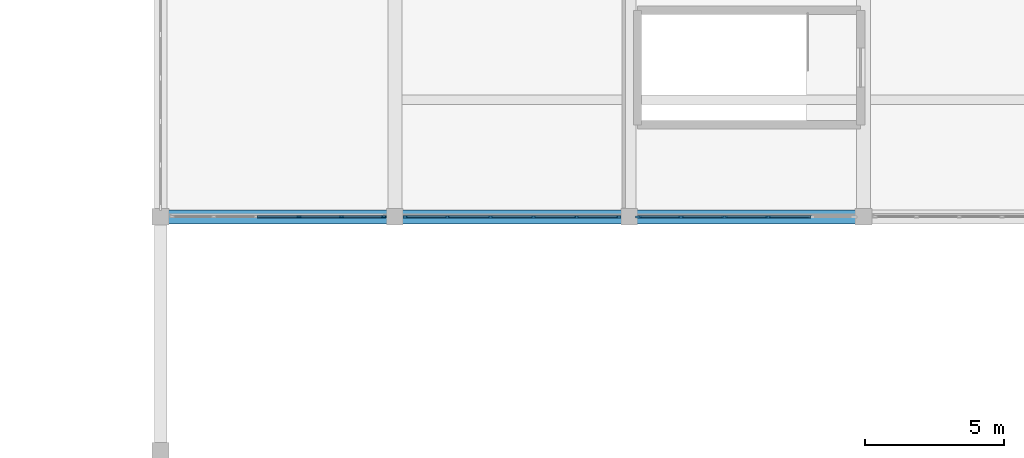
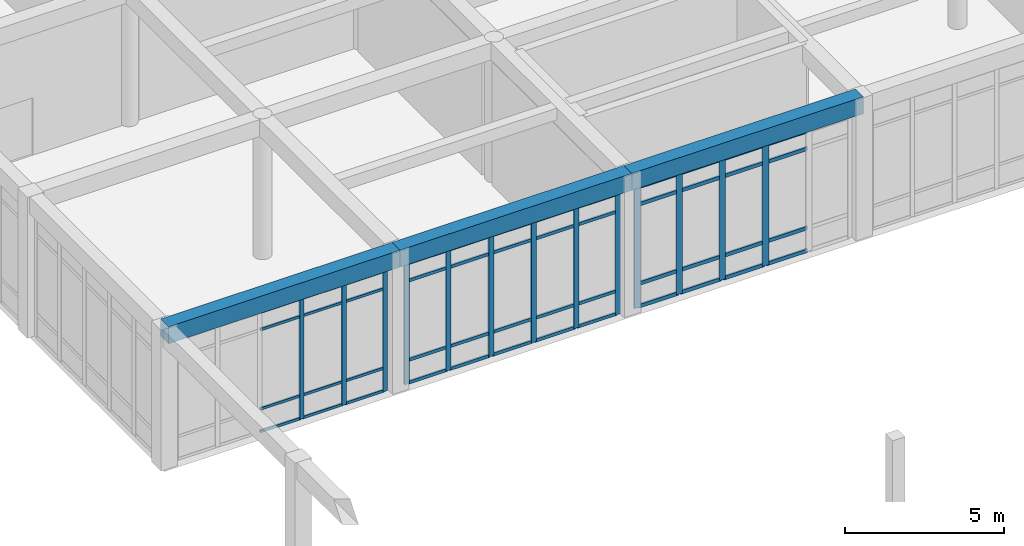
# One storey, part 11 of 89: 61 members, 3 beams, 3 elements without a shape of their own.
"""IFC4 building model written with IfcOpenShell, lengths in metres."""

from ifc_helpers import new_model, si_unit, direction, frame, origin, origin_2d, place, context, subcontext, project, spatial, rectangle, extrude, material, material_profile, profile_set, type_object, element, aggregate, save


model = new_model("IFC4")

# Units and contexts
model_context = context("Model", 3, precision=1e-05, world=origin(), true_north=direction((0.0, 1.0)))
body_context = subcontext(model_context, "Body", "Model", "MODEL_VIEW")
ifc_project = project(units=[si_unit("LENGTHUNIT", "METRE"), si_unit("AREAUNIT", "SQUARE_METRE"), si_unit("VOLUMEUNIT", "CUBIC_METRE"), si_unit("PLANEANGLEUNIT", "RADIAN"), si_unit("MASSUNIT", "GRAM", prefix="KILO")], contexts=[model_context])

# Site, building, storey
site_placement = place(None, origin())
site = spatial("IfcSite", under=ifc_project, at=site_placement, CompositionType="ELEMENT")
building_placement = place(site_placement, origin())
building = spatial("IfcBuilding", under=site, at=building_placement, Name="Varncliffe General Hospital", CompositionType="ELEMENT")
storey_placement = place(building_placement, frame((0.0, 0.0, 10.800048828125)))
storey = spatial("IfcBuildingStorey", under=building, at=storey_placement, Name="L02", CompositionType="ELEMENT", Elevation=10.800048828125)

# Beams
ifc_material_1 = material(Name="Concrete C35/45 (CSA A23.1 35 MPa)", Category="concrete")
ifc_material_profile_1 = material_profile(ifc_material_1, rectangle(XDim=0.5, YDim=0.64990234375, at=origin_2d()), Name="RC 500x650")
ifc_profile_set_1 = profile_set([ifc_material_profile_1], Name="Concrete C35/45 (CSA A23.1 35 MPa)")
beam_type = type_object("IfcBeamType", Name="Beam B29 (Int RC 500x650)", PredefinedType="BEAM", material=ifc_profile_set_1)
beam_1_placement = place(storey_placement, frame((58.800048828125, 57.60009765625, 5.074951171875), z_axis=(1.0, 0.0, 0.0), x_axis=(0.0, 1.0, 0.0)))
element("IfcBeam", 1, at=beam_1_placement, inside=storey, type_object=beam_type, Name="L02 Primary Beam B29-57", PredefinedType="BEAM", context=body_context, shape_type="SweptSolid", body=[
    extrude(rectangle(XDim=0.5, YDim=0.64990234375, at=origin_2d()), origin(), (0.0, 0.0, 1.0), 8.39990234375),
])
beam_2_placement = place(storey_placement, frame((67.199951171875, 57.60009765625, 5.074951171875), z_axis=(1.0, 0.0, 0.0), x_axis=(0.0, 1.0, 0.0)))
element("IfcBeam", 2, at=beam_2_placement, inside=storey, type_object=beam_type, Name="L02 Primary Beam B29-58", PredefinedType="BEAM", context=body_context, shape_type="SweptSolid", body=[
    extrude(rectangle(XDim=0.5, YDim=0.64990234375, at=origin_2d()), origin(), (0.0, 0.0, 1.0), 8.400146484375),
])
beam_3_placement = place(storey_placement, frame((75.60009765625, 57.60009765625, 5.074951171875), z_axis=(1.0, 0.0, 0.0), x_axis=(0.0, 1.0, 0.0)))
element("IfcBeam", 3, at=beam_3_placement, inside=storey, type_object=beam_type, Name="L02 Primary Beam B29-59", PredefinedType="BEAM", context=body_context, shape_type="SweptSolid", body=[
    extrude(rectangle(XDim=0.5, YDim=0.64990234375, at=origin_2d()), origin(), (0.0, 0.0, 1.0), 8.39990234375),
])

# Curtain wall, members
ifc_material_2 = material(Name="Triple low-E argon insulated vision glazing", Category="glass")
curtain_wall_type_1 = type_object("IfcCurtainWallType", Name="Unitised Glazed Curtain Wall CW70 (7724x4640)", PredefinedType="USERDEFINED", material=ifc_material_2)
curtain_wall_1_placement = place(storey_placement, origin())
curtain_wall_1 = element("IfcCurtainWall", 4, at=curtain_wall_1_placement, inside=storey, type_object=curtain_wall_type_1, Name="L02 Glazed Curtain Wall CW70-139", ObjectType="GLAZED CURTAIN WALL", PredefinedType="USERDEFINED")
ifc_material_3 = material(Name="Dark bronze thermally broken aluminium framing", Category="aluminium")
ifc_material_profile_2 = material_profile(ifc_material_3, rectangle(XDim=0.074951171875, YDim=0.179931640625, at=origin_2d()), Name="ALU 75x180")
ifc_profile_set_2 = profile_set([ifc_material_profile_2], Name="Dark bronze thermally broken aluminium framing")
member_type_1 = type_object("IfcMemberType", Name="Curtain Wall Mullion CM44 (ALU 75x180)", PredefinedType="MULLION", material=ifc_profile_set_2)
member_1_placement = place(storey_placement, frame((75.224609375, 57.60009765625, 0.0), z_axis=(0.0, 0.0, 1.0), x_axis=(0.0, -1.0, 0.0)))
member_1 = element("IfcMember", 5, at=member_1_placement, type_object=member_type_1, Name="CW70 mullion 1", PredefinedType="MULLION", context=body_context, shape_type="SweptSolid", body=[
    extrude(rectangle(XDim=0.074951171875, YDim=0.179931640625, at=origin_2d()), origin(), (0.0, 0.0, 1.0), 4.639892578125),
])
member_2_placement = place(storey_placement, frame((73.71728515625, 57.60009765625, 0.0), z_axis=(0.0, 0.0, 1.0), x_axis=(0.0, -1.0, 0.0)))
member_2 = element("IfcMember", 6, at=member_2_placement, type_object=member_type_1, Name="CW70 mullion 2", PredefinedType="MULLION", context=body_context, shape_type="SweptSolid", body=[
    extrude(rectangle(XDim=0.074951171875, YDim=0.179931640625, at=origin_2d()), origin(), (0.0, 0.0, 1.0), 4.639892578125),
])
member_3_placement = place(storey_placement, frame((72.17236328125, 57.60009765625, 0.0), z_axis=(0.0, 0.0, 1.0), x_axis=(0.0, -1.0, 0.0)))
member_3 = element("IfcMember", 7, at=member_3_placement, type_object=member_type_1, Name="CW70 mullion 3", PredefinedType="MULLION", context=body_context, shape_type="SweptSolid", body=[
    extrude(rectangle(XDim=0.074951171875, YDim=0.179931640625, at=origin_2d()), origin(), (0.0, 0.0, 1.0), 4.639892578125),
])
member_4_placement = place(storey_placement, frame((70.627685546875, 57.60009765625, 0.0), z_axis=(0.0, 0.0, 1.0), x_axis=(0.0, -1.0, 0.0)))
member_4 = element("IfcMember", 8, at=member_4_placement, type_object=member_type_1, Name="CW70 mullion 4", PredefinedType="MULLION", context=body_context, shape_type="SweptSolid", body=[
    extrude(rectangle(XDim=0.074951171875, YDim=0.179931640625, at=origin_2d()), origin(), (0.0, 0.0, 1.0), 4.639892578125),
])
member_5_placement = place(storey_placement, frame((69.082763671875, 57.60009765625, 0.0), z_axis=(0.0, 0.0, 1.0), x_axis=(0.0, -1.0, 0.0)))
member_5 = element("IfcMember", 9, at=member_5_placement, type_object=member_type_1, Name="CW70 mullion 5", PredefinedType="MULLION", context=body_context, shape_type="SweptSolid", body=[
    extrude(rectangle(XDim=0.074951171875, YDim=0.179931640625, at=origin_2d()), origin(), (0.0, 0.0, 1.0), 4.639892578125),
])
member_6_placement = place(storey_placement, frame((67.575439453125, 57.60009765625, 0.0), z_axis=(0.0, 0.0, 1.0), x_axis=(0.0, -1.0, 0.0)))
member_6 = element("IfcMember", 10, at=member_6_placement, type_object=member_type_1, Name="CW70 mullion 6", PredefinedType="MULLION", context=body_context, shape_type="SweptSolid", body=[
    extrude(rectangle(XDim=0.074951171875, YDim=0.179931640625, at=origin_2d()), origin(), (0.0, 0.0, 1.0), 4.639892578125),
])

curtain_wall_type_2 = type_object("IfcCurtainWallType", Name="Unitised Glazed Curtain Wall CW27 (7644x4640)", PredefinedType="USERDEFINED", material=ifc_material_2)
curtain_wall_2_placement = place(storey_placement, origin())
curtain_wall_2 = element("IfcCurtainWall", 11, at=curtain_wall_2_placement, inside=storey, type_object=curtain_wall_type_2, Name="L02 Glazed Curtain Wall CW27-140", ObjectType="GLAZED CURTAIN WALL", PredefinedType="USERDEFINED")
ifc_material_profile_3 = material_profile(ifc_material_3, rectangle(XDim=0.06494140625, YDim=0.159912109375, at=origin_2d()), Name="ALU 65x160")
ifc_profile_set_3 = profile_set([ifc_material_profile_3], Name="Dark bronze thermally broken aluminium framing")
member_type_2 = type_object("IfcMemberType", Name="Curtain Wall Mullion CM65 (ALU 65x160)", PredefinedType="MULLION", material=ifc_profile_set_3)
member_7_placement = place(storey_placement, frame((66.78955078125, 57.60009765625, 0.0), z_axis=(0.0, 0.0, 1.0), x_axis=(0.0, -1.0, 0.0)))
member_7 = element("IfcMember", 12, at=member_7_placement, type_object=member_type_2, Name="CW27 mullion 1", PredefinedType="MULLION", context=body_context, shape_type="SweptSolid", body=[
    extrude(rectangle(XDim=0.06494140625, YDim=0.159912109375, at=origin_2d()), origin(), (0.0, 0.0, 1.0), 4.639892578125),
])
member_8_placement = place(storey_placement, frame((65.293212890625, 57.60009765625, 0.0), z_axis=(0.0, 0.0, 1.0), x_axis=(0.0, -1.0, 0.0)))
member_8 = element("IfcMember", 13, at=member_8_placement, type_object=member_type_2, Name="CW27 mullion 2", PredefinedType="MULLION", context=body_context, shape_type="SweptSolid", body=[
    extrude(rectangle(XDim=0.06494140625, YDim=0.159912109375, at=origin_2d()), origin(), (0.0, 0.0, 1.0), 4.639892578125),
])
member_9_placement = place(storey_placement, frame((63.764404296875, 57.60009765625, 0.0), z_axis=(0.0, 0.0, 1.0), x_axis=(0.0, -1.0, 0.0)))
member_9 = element("IfcMember", 14, at=member_9_placement, type_object=member_type_2, Name="CW27 mullion 3", PredefinedType="MULLION", context=body_context, shape_type="SweptSolid", body=[
    extrude(rectangle(XDim=0.06494140625, YDim=0.159912109375, at=origin_2d()), origin(), (0.0, 0.0, 1.0), 4.639892578125),
])

curtain_wall_type_3 = type_object("IfcCurtainWallType", Name="Unitised Glazed Curtain Wall CW85 (7804x4640)", PredefinedType="USERDEFINED", material=ifc_material_2)
curtain_wall_3_placement = place(storey_placement, origin())
curtain_wall_3 = element("IfcCurtainWall", 15, at=curtain_wall_3_placement, inside=storey, type_object=curtain_wall_type_3, Name="L02 Glazed Curtain Wall CW85-138", ObjectType="GLAZED CURTAIN WALL", PredefinedType="USERDEFINED")
ifc_material_profile_4 = material_profile(ifc_material_3, rectangle(XDim=0.074951171875, YDim=0.219970703125, at=origin_2d()), Name="ALU 75x220")
ifc_profile_set_4 = profile_set([ifc_material_profile_4], Name="Dark bronze thermally broken aluminium framing")
member_type_3 = type_object("IfcMemberType", Name="Curtain Wall Mullion CM74 (ALU 75x220)", PredefinedType="MULLION", material=ifc_profile_set_4)
member_10_placement = place(storey_placement, frame((80.580322265625, 57.60009765625, 0.0), z_axis=(0.0, 0.0, 1.0), x_axis=(0.0, -1.0, 0.0)))
member_10 = element("IfcMember", 16, at=member_10_placement, type_object=member_type_3, Name="CW85 mullion 3", PredefinedType="MULLION", context=body_context, shape_type="SweptSolid", body=[
    extrude(rectangle(XDim=0.074951171875, YDim=0.219970703125, at=origin_2d()), origin(), (0.0, 0.0, 1.0), 4.639892578125),
])
member_11_placement = place(storey_placement, frame((79.01953125, 57.60009765625, 0.0), z_axis=(0.0, 0.0, 1.0), x_axis=(0.0, -1.0, 0.0)))
member_11 = element("IfcMember", 17, at=member_11_placement, type_object=member_type_3, Name="CW85 mullion 4", PredefinedType="MULLION", context=body_context, shape_type="SweptSolid", body=[
    extrude(rectangle(XDim=0.074951171875, YDim=0.219970703125, at=origin_2d()), origin(), (0.0, 0.0, 1.0), 4.639892578125),
])
member_12_placement = place(storey_placement, frame((77.458740234375, 57.60009765625, 0.0), z_axis=(0.0, 0.0, 1.0), x_axis=(0.0, -1.0, 0.0)))
member_12 = element("IfcMember", 18, at=member_12_placement, type_object=member_type_3, Name="CW85 mullion 5", PredefinedType="MULLION", context=body_context, shape_type="SweptSolid", body=[
    extrude(rectangle(XDim=0.074951171875, YDim=0.219970703125, at=origin_2d()), origin(), (0.0, 0.0, 1.0), 4.639892578125),
])
member_13_placement = place(storey_placement, frame((75.935546875, 57.60009765625, 0.0), z_axis=(0.0, 0.0, 1.0), x_axis=(0.0, -1.0, 0.0)))
member_13 = element("IfcMember", 19, at=member_13_placement, type_object=member_type_3, Name="CW85 mullion 6", PredefinedType="MULLION", context=body_context, shape_type="SweptSolid", body=[
    extrude(rectangle(XDim=0.074951171875, YDim=0.219970703125, at=origin_2d()), origin(), (0.0, 0.0, 1.0), 4.639892578125),
])

# Member
ifc_material_profile_5 = material_profile(ifc_material_3, rectangle(XDim=0.06005859375, YDim=0.1201171875, at=origin_2d()), Name="ALU 60x120")
ifc_profile_set_5 = profile_set([ifc_material_profile_5], Name="Dark bronze thermally broken aluminium framing")
member_type_4 = type_object("IfcMemberType", Name="Curtain Wall Transom CT14 (ALU 60x120)", PredefinedType="USERDEFINED", material=ifc_profile_set_5)
member_14_placement = place(storey_placement, frame((75.18701171875, 57.60009765625, 0.030029296875), z_axis=(-1.0, 0.0, 0.0), x_axis=(0.0, -1.0, 0.0)))
member_14 = element("IfcMember", 20, at=member_14_placement, type_object=member_type_4, Name="CW70 transom 1.1", ObjectType="TRANSOM", PredefinedType="USERDEFINED", context=body_context, shape_type="SweptSolid", body=[
    extrude(rectangle(XDim=0.06005859375, YDim=0.1201171875, at=origin_2d()), origin(), (0.0, 0.0, 1.0), 1.432373046875),
])

member_15_placement = place(storey_placement, frame((75.18701171875, 57.60009765625, 0.89990234375), z_axis=(-1.0, 0.0, 0.0), x_axis=(0.0, -1.0, 0.0)))
member_15 = element("IfcMember", 21, at=member_15_placement, type_object=member_type_4, Name="CW70 transom 1.2", ObjectType="TRANSOM", PredefinedType="USERDEFINED", context=body_context, shape_type="SweptSolid", body=[
    extrude(rectangle(XDim=0.06005859375, YDim=0.1201171875, at=origin_2d()), origin(), (0.0, 0.0, 1.0), 1.432373046875),
])

member_16_placement = place(storey_placement, frame((75.18701171875, 57.60009765625, 3.93994140625), z_axis=(-1.0, 0.0, 0.0), x_axis=(0.0, -1.0, 0.0)))
member_16 = element("IfcMember", 22, at=member_16_placement, type_object=member_type_4, Name="CW70 transom 1.3", ObjectType="TRANSOM", PredefinedType="USERDEFINED", context=body_context, shape_type="SweptSolid", body=[
    extrude(rectangle(XDim=0.06005859375, YDim=0.1201171875, at=origin_2d()), origin(), (0.0, 0.0, 1.0), 1.432373046875),
])

member_17_placement = place(storey_placement, frame((75.18701171875, 57.60009765625, 4.60986328125), z_axis=(-1.0, 0.0, 0.0), x_axis=(0.0, -1.0, 0.0)))
member_17 = element("IfcMember", 23, at=member_17_placement, type_object=member_type_4, Name="CW70 transom 1.4", ObjectType="TRANSOM", PredefinedType="USERDEFINED", context=body_context, shape_type="SweptSolid", body=[
    extrude(rectangle(XDim=0.06005859375, YDim=0.1201171875, at=origin_2d()), origin(), (0.0, 0.0, 1.0), 1.432373046875),
])

member_18_placement = place(storey_placement, frame((73.6796875, 57.60009765625, 0.030029296875), z_axis=(-1.0, 0.0, 0.0), x_axis=(0.0, -1.0, 0.0)))
member_18 = element("IfcMember", 24, at=member_18_placement, type_object=member_type_4, Name="CW70 transom 2.1", ObjectType="TRANSOM", PredefinedType="USERDEFINED", context=body_context, shape_type="SweptSolid", body=[
    extrude(rectangle(XDim=0.06005859375, YDim=0.1201171875, at=origin_2d()), origin(), (0.0, 0.0, 1.0), 1.4697265625),
])

member_19_placement = place(storey_placement, frame((73.6796875, 57.60009765625, 0.89990234375), z_axis=(-1.0, 0.0, 0.0), x_axis=(0.0, -1.0, 0.0)))
member_19 = element("IfcMember", 25, at=member_19_placement, type_object=member_type_4, Name="CW70 transom 2.2", ObjectType="TRANSOM", PredefinedType="USERDEFINED", context=body_context, shape_type="SweptSolid", body=[
    extrude(rectangle(XDim=0.06005859375, YDim=0.1201171875, at=origin_2d()), origin(), (0.0, 0.0, 1.0), 1.4697265625),
])

member_20_placement = place(storey_placement, frame((73.6796875, 57.60009765625, 3.93994140625), z_axis=(-1.0, 0.0, 0.0), x_axis=(0.0, -1.0, 0.0)))
member_20 = element("IfcMember", 26, at=member_20_placement, type_object=member_type_4, Name="CW70 transom 2.3", ObjectType="TRANSOM", PredefinedType="USERDEFINED", context=body_context, shape_type="SweptSolid", body=[
    extrude(rectangle(XDim=0.06005859375, YDim=0.1201171875, at=origin_2d()), origin(), (0.0, 0.0, 1.0), 1.4697265625),
])

member_21_placement = place(storey_placement, frame((73.6796875, 57.60009765625, 4.60986328125), z_axis=(-1.0, 0.0, 0.0), x_axis=(0.0, -1.0, 0.0)))
member_21 = element("IfcMember", 27, at=member_21_placement, type_object=member_type_4, Name="CW70 transom 2.4", ObjectType="TRANSOM", PredefinedType="USERDEFINED", context=body_context, shape_type="SweptSolid", body=[
    extrude(rectangle(XDim=0.06005859375, YDim=0.1201171875, at=origin_2d()), origin(), (0.0, 0.0, 1.0), 1.4697265625),
])

member_22_placement = place(storey_placement, frame((72.135009765625, 57.60009765625, 0.030029296875), z_axis=(-1.0, 0.0, 0.0), x_axis=(0.0, -1.0, 0.0)))
member_22 = element("IfcMember", 28, at=member_22_placement, type_object=member_type_4, Name="CW70 transom 3.1", ObjectType="TRANSOM", PredefinedType="USERDEFINED", context=body_context, shape_type="SweptSolid", body=[
    extrude(rectangle(XDim=0.06005859375, YDim=0.1201171875, at=origin_2d()), origin(), (0.0, 0.0, 1.0), 1.469970703125),
])

member_23_placement = place(storey_placement, frame((72.135009765625, 57.60009765625, 0.89990234375), z_axis=(-1.0, 0.0, 0.0), x_axis=(0.0, -1.0, 0.0)))
member_23 = element("IfcMember", 29, at=member_23_placement, type_object=member_type_4, Name="CW70 transom 3.2", ObjectType="TRANSOM", PredefinedType="USERDEFINED", context=body_context, shape_type="SweptSolid", body=[
    extrude(rectangle(XDim=0.06005859375, YDim=0.1201171875, at=origin_2d()), origin(), (0.0, 0.0, 1.0), 1.469970703125),
])

member_24_placement = place(storey_placement, frame((72.135009765625, 57.60009765625, 3.93994140625), z_axis=(-1.0, 0.0, 0.0), x_axis=(0.0, -1.0, 0.0)))
member_24 = element("IfcMember", 30, at=member_24_placement, type_object=member_type_4, Name="CW70 transom 3.3", ObjectType="TRANSOM", PredefinedType="USERDEFINED", context=body_context, shape_type="SweptSolid", body=[
    extrude(rectangle(XDim=0.06005859375, YDim=0.1201171875, at=origin_2d()), origin(), (0.0, 0.0, 1.0), 1.469970703125),
])

member_25_placement = place(storey_placement, frame((72.135009765625, 57.60009765625, 4.60986328125), z_axis=(-1.0, 0.0, 0.0), x_axis=(0.0, -1.0, 0.0)))
member_25 = element("IfcMember", 31, at=member_25_placement, type_object=member_type_4, Name="CW70 transom 3.4", ObjectType="TRANSOM", PredefinedType="USERDEFINED", context=body_context, shape_type="SweptSolid", body=[
    extrude(rectangle(XDim=0.06005859375, YDim=0.1201171875, at=origin_2d()), origin(), (0.0, 0.0, 1.0), 1.469970703125),
])

member_26_placement = place(storey_placement, frame((70.590087890625, 57.60009765625, 0.030029296875), z_axis=(-1.0, 0.0, 0.0), x_axis=(0.0, -1.0, 0.0)))
member_26 = element("IfcMember", 32, at=member_26_placement, type_object=member_type_4, Name="CW70 transom 4.1", ObjectType="TRANSOM", PredefinedType="USERDEFINED", context=body_context, shape_type="SweptSolid", body=[
    extrude(rectangle(XDim=0.06005859375, YDim=0.1201171875, at=origin_2d()), origin(), (0.0, 0.0, 1.0), 1.4697265625),
])

member_27_placement = place(storey_placement, frame((70.590087890625, 57.60009765625, 0.89990234375), z_axis=(-1.0, 0.0, 0.0), x_axis=(0.0, -1.0, 0.0)))
member_27 = element("IfcMember", 33, at=member_27_placement, type_object=member_type_4, Name="CW70 transom 4.2", ObjectType="TRANSOM", PredefinedType="USERDEFINED", context=body_context, shape_type="SweptSolid", body=[
    extrude(rectangle(XDim=0.06005859375, YDim=0.1201171875, at=origin_2d()), origin(), (0.0, 0.0, 1.0), 1.4697265625),
])

member_28_placement = place(storey_placement, frame((70.590087890625, 57.60009765625, 3.93994140625), z_axis=(-1.0, 0.0, 0.0), x_axis=(0.0, -1.0, 0.0)))
member_28 = element("IfcMember", 34, at=member_28_placement, type_object=member_type_4, Name="CW70 transom 4.3", ObjectType="TRANSOM", PredefinedType="USERDEFINED", context=body_context, shape_type="SweptSolid", body=[
    extrude(rectangle(XDim=0.06005859375, YDim=0.1201171875, at=origin_2d()), origin(), (0.0, 0.0, 1.0), 1.4697265625),
])

member_29_placement = place(storey_placement, frame((70.590087890625, 57.60009765625, 4.60986328125), z_axis=(-1.0, 0.0, 0.0), x_axis=(0.0, -1.0, 0.0)))
member_29 = element("IfcMember", 35, at=member_29_placement, type_object=member_type_4, Name="CW70 transom 4.4", ObjectType="TRANSOM", PredefinedType="USERDEFINED", context=body_context, shape_type="SweptSolid", body=[
    extrude(rectangle(XDim=0.06005859375, YDim=0.1201171875, at=origin_2d()), origin(), (0.0, 0.0, 1.0), 1.4697265625),
])

member_30_placement = place(storey_placement, frame((69.04541015625, 57.60009765625, 0.030029296875), z_axis=(-1.0, 0.0, 0.0), x_axis=(0.0, -1.0, 0.0)))
member_30 = element("IfcMember", 36, at=member_30_placement, type_object=member_type_4, Name="CW70 transom 5.1", ObjectType="TRANSOM", PredefinedType="USERDEFINED", context=body_context, shape_type="SweptSolid", body=[
    extrude(rectangle(XDim=0.06005859375, YDim=0.1201171875, at=origin_2d()), origin(), (0.0, 0.0, 1.0), 1.432373046875),
])

member_31_placement = place(storey_placement, frame((69.04541015625, 57.60009765625, 0.89990234375), z_axis=(-1.0, 0.0, 0.0), x_axis=(0.0, -1.0, 0.0)))
member_31 = element("IfcMember", 37, at=member_31_placement, type_object=member_type_4, Name="CW70 transom 5.2", ObjectType="TRANSOM", PredefinedType="USERDEFINED", context=body_context, shape_type="SweptSolid", body=[
    extrude(rectangle(XDim=0.06005859375, YDim=0.1201171875, at=origin_2d()), origin(), (0.0, 0.0, 1.0), 1.432373046875),
])

member_32_placement = place(storey_placement, frame((69.04541015625, 57.60009765625, 3.93994140625), z_axis=(-1.0, 0.0, 0.0), x_axis=(0.0, -1.0, 0.0)))
member_32 = element("IfcMember", 38, at=member_32_placement, type_object=member_type_4, Name="CW70 transom 5.3", ObjectType="TRANSOM", PredefinedType="USERDEFINED", context=body_context, shape_type="SweptSolid", body=[
    extrude(rectangle(XDim=0.06005859375, YDim=0.1201171875, at=origin_2d()), origin(), (0.0, 0.0, 1.0), 1.432373046875),
])

member_33_placement = place(storey_placement, frame((69.04541015625, 57.60009765625, 4.60986328125), z_axis=(-1.0, 0.0, 0.0), x_axis=(0.0, -1.0, 0.0)))
member_33 = element("IfcMember", 39, at=member_33_placement, type_object=member_type_4, Name="CW70 transom 5.4", ObjectType="TRANSOM", PredefinedType="USERDEFINED", context=body_context, shape_type="SweptSolid", body=[
    extrude(rectangle(XDim=0.06005859375, YDim=0.1201171875, at=origin_2d()), origin(), (0.0, 0.0, 1.0), 1.432373046875),
])

aggregate(curtain_wall_1, [member_1, member_2, member_3, member_4, member_5, member_6, member_14, member_15, member_16, member_17, member_18, member_19, member_20, member_21, member_22, member_23, member_24, member_25, member_26, member_27, member_28, member_29, member_30, member_31, member_32, member_33])

ifc_material_profile_6 = material_profile(ifc_material_3, rectangle(XDim=0.06005859375, YDim=0.10009765625, at=origin_2d()), Name="ALU 60x100")
ifc_profile_set_6 = profile_set([ifc_material_profile_6], Name="Dark bronze thermally broken aluminium framing")
member_type_5 = type_object("IfcMemberType", Name="Curtain Wall Transom CT18 (ALU 60x100)", PredefinedType="USERDEFINED", material=ifc_profile_set_6)
member_34_placement = place(storey_placement, frame((66.757080078125, 57.60009765625, 0.030029296875), z_axis=(-1.0, 0.0, 0.0), x_axis=(0.0, -1.0, 0.0)))
member_34 = element("IfcMember", 40, at=member_34_placement, type_object=member_type_5, Name="CW27 transom 1.1", ObjectType="TRANSOM", PredefinedType="USERDEFINED", context=body_context, shape_type="SweptSolid", body=[
    extrude(rectangle(XDim=0.06005859375, YDim=0.10009765625, at=origin_2d()), origin(), (0.0, 0.0, 1.0), 1.431396484375),
])

member_35_placement = place(storey_placement, frame((66.757080078125, 57.60009765625, 0.89990234375), z_axis=(-1.0, 0.0, 0.0), x_axis=(0.0, -1.0, 0.0)))
member_35 = element("IfcMember", 41, at=member_35_placement, type_object=member_type_5, Name="CW27 transom 1.2", ObjectType="TRANSOM", PredefinedType="USERDEFINED", context=body_context, shape_type="SweptSolid", body=[
    extrude(rectangle(XDim=0.06005859375, YDim=0.10009765625, at=origin_2d()), origin(), (0.0, 0.0, 1.0), 1.431396484375),
])

member_36_placement = place(storey_placement, frame((66.757080078125, 57.60009765625, 3.93994140625), z_axis=(-1.0, 0.0, 0.0), x_axis=(0.0, -1.0, 0.0)))
member_36 = element("IfcMember", 42, at=member_36_placement, type_object=member_type_5, Name="CW27 transom 1.3", ObjectType="TRANSOM", PredefinedType="USERDEFINED", context=body_context, shape_type="SweptSolid", body=[
    extrude(rectangle(XDim=0.06005859375, YDim=0.10009765625, at=origin_2d()), origin(), (0.0, 0.0, 1.0), 1.431396484375),
])

member_37_placement = place(storey_placement, frame((66.757080078125, 57.60009765625, 4.60986328125), z_axis=(-1.0, 0.0, 0.0), x_axis=(0.0, -1.0, 0.0)))
member_37 = element("IfcMember", 43, at=member_37_placement, type_object=member_type_5, Name="CW27 transom 1.4", ObjectType="TRANSOM", PredefinedType="USERDEFINED", context=body_context, shape_type="SweptSolid", body=[
    extrude(rectangle(XDim=0.06005859375, YDim=0.10009765625, at=origin_2d()), origin(), (0.0, 0.0, 1.0), 1.431396484375),
])

member_38_placement = place(storey_placement, frame((65.2607421875, 57.60009765625, 0.030029296875), z_axis=(-1.0, 0.0, 0.0), x_axis=(0.0, -1.0, 0.0)))
member_38 = element("IfcMember", 44, at=member_38_placement, type_object=member_type_5, Name="CW27 transom 2.1", ObjectType="TRANSOM", PredefinedType="USERDEFINED", context=body_context, shape_type="SweptSolid", body=[
    extrude(rectangle(XDim=0.06005859375, YDim=0.10009765625, at=origin_2d()), origin(), (0.0, 0.0, 1.0), 1.4638671875),
])

member_39_placement = place(storey_placement, frame((65.2607421875, 57.60009765625, 0.89990234375), z_axis=(-1.0, 0.0, 0.0), x_axis=(0.0, -1.0, 0.0)))
member_39 = element("IfcMember", 45, at=member_39_placement, type_object=member_type_5, Name="CW27 transom 2.2", ObjectType="TRANSOM", PredefinedType="USERDEFINED", context=body_context, shape_type="SweptSolid", body=[
    extrude(rectangle(XDim=0.06005859375, YDim=0.10009765625, at=origin_2d()), origin(), (0.0, 0.0, 1.0), 1.4638671875),
])

member_40_placement = place(storey_placement, frame((65.2607421875, 57.60009765625, 3.93994140625), z_axis=(-1.0, 0.0, 0.0), x_axis=(0.0, -1.0, 0.0)))
member_40 = element("IfcMember", 46, at=member_40_placement, type_object=member_type_5, Name="CW27 transom 2.3", ObjectType="TRANSOM", PredefinedType="USERDEFINED", context=body_context, shape_type="SweptSolid", body=[
    extrude(rectangle(XDim=0.06005859375, YDim=0.10009765625, at=origin_2d()), origin(), (0.0, 0.0, 1.0), 1.4638671875),
])

member_41_placement = place(storey_placement, frame((65.2607421875, 57.60009765625, 4.60986328125), z_axis=(-1.0, 0.0, 0.0), x_axis=(0.0, -1.0, 0.0)))
member_41 = element("IfcMember", 47, at=member_41_placement, type_object=member_type_5, Name="CW27 transom 2.4", ObjectType="TRANSOM", PredefinedType="USERDEFINED", context=body_context, shape_type="SweptSolid", body=[
    extrude(rectangle(XDim=0.06005859375, YDim=0.10009765625, at=origin_2d()), origin(), (0.0, 0.0, 1.0), 1.4638671875),
])

member_42_placement = place(storey_placement, frame((63.73193359375, 57.60009765625, 0.030029296875), z_axis=(-1.0, 0.0, 0.0), x_axis=(0.0, -1.0, 0.0)))
member_42 = element("IfcMember", 48, at=member_42_placement, type_object=member_type_5, Name="CW27 transom 3.1", ObjectType="TRANSOM", PredefinedType="USERDEFINED", context=body_context, shape_type="SweptSolid", body=[
    extrude(rectangle(XDim=0.06005859375, YDim=0.10009765625, at=origin_2d()), origin(), (0.0, 0.0, 1.0), 1.4638671875),
])

member_43_placement = place(storey_placement, frame((63.73193359375, 57.60009765625, 0.89990234375), z_axis=(-1.0, 0.0, 0.0), x_axis=(0.0, -1.0, 0.0)))
member_43 = element("IfcMember", 49, at=member_43_placement, type_object=member_type_5, Name="CW27 transom 3.2", ObjectType="TRANSOM", PredefinedType="USERDEFINED", context=body_context, shape_type="SweptSolid", body=[
    extrude(rectangle(XDim=0.06005859375, YDim=0.10009765625, at=origin_2d()), origin(), (0.0, 0.0, 1.0), 1.4638671875),
])

member_44_placement = place(storey_placement, frame((63.73193359375, 57.60009765625, 3.93994140625), z_axis=(-1.0, 0.0, 0.0), x_axis=(0.0, -1.0, 0.0)))
member_44 = element("IfcMember", 50, at=member_44_placement, type_object=member_type_5, Name="CW27 transom 3.3", ObjectType="TRANSOM", PredefinedType="USERDEFINED", context=body_context, shape_type="SweptSolid", body=[
    extrude(rectangle(XDim=0.06005859375, YDim=0.10009765625, at=origin_2d()), origin(), (0.0, 0.0, 1.0), 1.4638671875),
])

member_45_placement = place(storey_placement, frame((63.73193359375, 57.60009765625, 4.60986328125), z_axis=(-1.0, 0.0, 0.0), x_axis=(0.0, -1.0, 0.0)))
member_45 = element("IfcMember", 51, at=member_45_placement, type_object=member_type_5, Name="CW27 transom 3.4", ObjectType="TRANSOM", PredefinedType="USERDEFINED", context=body_context, shape_type="SweptSolid", body=[
    extrude(rectangle(XDim=0.06005859375, YDim=0.10009765625, at=origin_2d()), origin(), (0.0, 0.0, 1.0), 1.4638671875),
])

aggregate(curtain_wall_2, [member_7, member_8, member_9, member_34, member_35, member_36, member_37, member_38, member_39, member_40, member_41, member_42, member_43, member_44, member_45])

ifc_material_profile_7 = material_profile(ifc_material_3, rectangle(XDim=0.06494140625, YDim=0.139892578125, at=origin_2d()), Name="ALU 65x140")
ifc_profile_set_7 = profile_set([ifc_material_profile_7], Name="Dark bronze thermally broken aluminium framing")
member_type_6 = type_object("IfcMemberType", Name="Curtain Wall Transom CT69 (ALU 65x140)", PredefinedType="USERDEFINED", material=ifc_profile_set_7)
member_46_placement = place(storey_placement, frame((82.103759765625, 57.60009765625, 0.032470703125), z_axis=(-1.0, 0.0, 0.0), x_axis=(0.0, -1.0, 0.0)))
member_46 = element("IfcMember", 52, at=member_46_placement, type_object=member_type_6, Name="CW85 transom 2.1", ObjectType="TRANSOM", PredefinedType="USERDEFINED", context=body_context, shape_type="SweptSolid", body=[
    extrude(rectangle(XDim=0.06494140625, YDim=0.139892578125, at=origin_2d()), origin(), (0.0, 0.0, 1.0), 1.48583984375),
])

member_47_placement = place(storey_placement, frame((82.103759765625, 57.60009765625, 0.89990234375), z_axis=(-1.0, 0.0, 0.0), x_axis=(0.0, -1.0, 0.0)))
member_47 = element("IfcMember", 53, at=member_47_placement, type_object=member_type_6, Name="CW85 transom 2.2", ObjectType="TRANSOM", PredefinedType="USERDEFINED", context=body_context, shape_type="SweptSolid", body=[
    extrude(rectangle(XDim=0.06494140625, YDim=0.139892578125, at=origin_2d()), origin(), (0.0, 0.0, 1.0), 1.48583984375),
])

member_48_placement = place(storey_placement, frame((82.103759765625, 57.60009765625, 3.93994140625), z_axis=(-1.0, 0.0, 0.0), x_axis=(0.0, -1.0, 0.0)))
member_48 = element("IfcMember", 54, at=member_48_placement, type_object=member_type_6, Name="CW85 transom 2.3", ObjectType="TRANSOM", PredefinedType="USERDEFINED", context=body_context, shape_type="SweptSolid", body=[
    extrude(rectangle(XDim=0.06494140625, YDim=0.139892578125, at=origin_2d()), origin(), (0.0, 0.0, 1.0), 1.48583984375),
])

member_49_placement = place(storey_placement, frame((82.103759765625, 57.60009765625, 4.607421875), z_axis=(-1.0, 0.0, 0.0), x_axis=(0.0, -1.0, 0.0)))
member_49 = element("IfcMember", 55, at=member_49_placement, type_object=member_type_6, Name="CW85 transom 2.4", ObjectType="TRANSOM", PredefinedType="USERDEFINED", context=body_context, shape_type="SweptSolid", body=[
    extrude(rectangle(XDim=0.06494140625, YDim=0.139892578125, at=origin_2d()), origin(), (0.0, 0.0, 1.0), 1.48583984375),
])

member_50_placement = place(storey_placement, frame((80.54296875, 57.60009765625, 0.032470703125), z_axis=(-1.0, 0.0, 0.0), x_axis=(0.0, -1.0, 0.0)))
member_50 = element("IfcMember", 56, at=member_50_placement, type_object=member_type_6, Name="CW85 transom 3.1", ObjectType="TRANSOM", PredefinedType="USERDEFINED", context=body_context, shape_type="SweptSolid", body=[
    extrude(rectangle(XDim=0.06494140625, YDim=0.139892578125, at=origin_2d()), origin(), (0.0, 0.0, 1.0), 1.48583984375),
])

member_51_placement = place(storey_placement, frame((80.54296875, 57.60009765625, 0.89990234375), z_axis=(-1.0, 0.0, 0.0), x_axis=(0.0, -1.0, 0.0)))
member_51 = element("IfcMember", 57, at=member_51_placement, type_object=member_type_6, Name="CW85 transom 3.2", ObjectType="TRANSOM", PredefinedType="USERDEFINED", context=body_context, shape_type="SweptSolid", body=[
    extrude(rectangle(XDim=0.06494140625, YDim=0.139892578125, at=origin_2d()), origin(), (0.0, 0.0, 1.0), 1.48583984375),
])

member_52_placement = place(storey_placement, frame((80.54296875, 57.60009765625, 3.93994140625), z_axis=(-1.0, 0.0, 0.0), x_axis=(0.0, -1.0, 0.0)))
member_52 = element("IfcMember", 58, at=member_52_placement, type_object=member_type_6, Name="CW85 transom 3.3", ObjectType="TRANSOM", PredefinedType="USERDEFINED", context=body_context, shape_type="SweptSolid", body=[
    extrude(rectangle(XDim=0.06494140625, YDim=0.139892578125, at=origin_2d()), origin(), (0.0, 0.0, 1.0), 1.48583984375),
])

member_53_placement = place(storey_placement, frame((80.54296875, 57.60009765625, 4.607421875), z_axis=(-1.0, 0.0, 0.0), x_axis=(0.0, -1.0, 0.0)))
member_53 = element("IfcMember", 59, at=member_53_placement, type_object=member_type_6, Name="CW85 transom 3.4", ObjectType="TRANSOM", PredefinedType="USERDEFINED", context=body_context, shape_type="SweptSolid", body=[
    extrude(rectangle(XDim=0.06494140625, YDim=0.139892578125, at=origin_2d()), origin(), (0.0, 0.0, 1.0), 1.48583984375),
])

member_54_placement = place(storey_placement, frame((78.982177734375, 57.60009765625, 0.032470703125), z_axis=(-1.0, 0.0, 0.0), x_axis=(0.0, -1.0, 0.0)))
member_54 = element("IfcMember", 60, at=member_54_placement, type_object=member_type_6, Name="CW85 transom 4.1", ObjectType="TRANSOM", PredefinedType="USERDEFINED", context=body_context, shape_type="SweptSolid", body=[
    extrude(rectangle(XDim=0.06494140625, YDim=0.139892578125, at=origin_2d()), origin(), (0.0, 0.0, 1.0), 1.48583984375),
])

member_55_placement = place(storey_placement, frame((78.982177734375, 57.60009765625, 0.89990234375), z_axis=(-1.0, 0.0, 0.0), x_axis=(0.0, -1.0, 0.0)))
member_55 = element("IfcMember", 61, at=member_55_placement, type_object=member_type_6, Name="CW85 transom 4.2", ObjectType="TRANSOM", PredefinedType="USERDEFINED", context=body_context, shape_type="SweptSolid", body=[
    extrude(rectangle(XDim=0.06494140625, YDim=0.139892578125, at=origin_2d()), origin(), (0.0, 0.0, 1.0), 1.48583984375),
])

member_56_placement = place(storey_placement, frame((78.982177734375, 57.60009765625, 3.93994140625), z_axis=(-1.0, 0.0, 0.0), x_axis=(0.0, -1.0, 0.0)))
member_56 = element("IfcMember", 62, at=member_56_placement, type_object=member_type_6, Name="CW85 transom 4.3", ObjectType="TRANSOM", PredefinedType="USERDEFINED", context=body_context, shape_type="SweptSolid", body=[
    extrude(rectangle(XDim=0.06494140625, YDim=0.139892578125, at=origin_2d()), origin(), (0.0, 0.0, 1.0), 1.48583984375),
])

member_57_placement = place(storey_placement, frame((78.982177734375, 57.60009765625, 4.607421875), z_axis=(-1.0, 0.0, 0.0), x_axis=(0.0, -1.0, 0.0)))
member_57 = element("IfcMember", 63, at=member_57_placement, type_object=member_type_6, Name="CW85 transom 4.4", ObjectType="TRANSOM", PredefinedType="USERDEFINED", context=body_context, shape_type="SweptSolid", body=[
    extrude(rectangle(XDim=0.06494140625, YDim=0.139892578125, at=origin_2d()), origin(), (0.0, 0.0, 1.0), 1.48583984375),
])

member_58_placement = place(storey_placement, frame((77.42138671875, 57.60009765625, 0.032470703125), z_axis=(-1.0, 0.0, 0.0), x_axis=(0.0, -1.0, 0.0)))
member_58 = element("IfcMember", 64, at=member_58_placement, type_object=member_type_6, Name="CW85 transom 5.1", ObjectType="TRANSOM", PredefinedType="USERDEFINED", context=body_context, shape_type="SweptSolid", body=[
    extrude(rectangle(XDim=0.06494140625, YDim=0.139892578125, at=origin_2d()), origin(), (0.0, 0.0, 1.0), 1.448486328125),
])

member_59_placement = place(storey_placement, frame((77.42138671875, 57.60009765625, 0.89990234375), z_axis=(-1.0, 0.0, 0.0), x_axis=(0.0, -1.0, 0.0)))
member_59 = element("IfcMember", 65, at=member_59_placement, type_object=member_type_6, Name="CW85 transom 5.2", ObjectType="TRANSOM", PredefinedType="USERDEFINED", context=body_context, shape_type="SweptSolid", body=[
    extrude(rectangle(XDim=0.06494140625, YDim=0.139892578125, at=origin_2d()), origin(), (0.0, 0.0, 1.0), 1.448486328125),
])

member_60_placement = place(storey_placement, frame((77.42138671875, 57.60009765625, 3.93994140625), z_axis=(-1.0, 0.0, 0.0), x_axis=(0.0, -1.0, 0.0)))
member_60 = element("IfcMember", 66, at=member_60_placement, type_object=member_type_6, Name="CW85 transom 5.3", ObjectType="TRANSOM", PredefinedType="USERDEFINED", context=body_context, shape_type="SweptSolid", body=[
    extrude(rectangle(XDim=0.06494140625, YDim=0.139892578125, at=origin_2d()), origin(), (0.0, 0.0, 1.0), 1.448486328125),
])

member_61_placement = place(storey_placement, frame((77.42138671875, 57.60009765625, 4.607421875), z_axis=(-1.0, 0.0, 0.0), x_axis=(0.0, -1.0, 0.0)))
member_61 = element("IfcMember", 67, at=member_61_placement, type_object=member_type_6, Name="CW85 transom 5.4", ObjectType="TRANSOM", PredefinedType="USERDEFINED", context=body_context, shape_type="SweptSolid", body=[
    extrude(rectangle(XDim=0.06494140625, YDim=0.139892578125, at=origin_2d()), origin(), (0.0, 0.0, 1.0), 1.448486328125),
])

aggregate(curtain_wall_3, [member_10, member_11, member_12, member_13, member_46, member_47, member_48, member_49, member_50, member_51, member_52, member_53, member_54, member_55, member_56, member_57, member_58, member_59, member_60, member_61])

save(model, "model.ifc")
